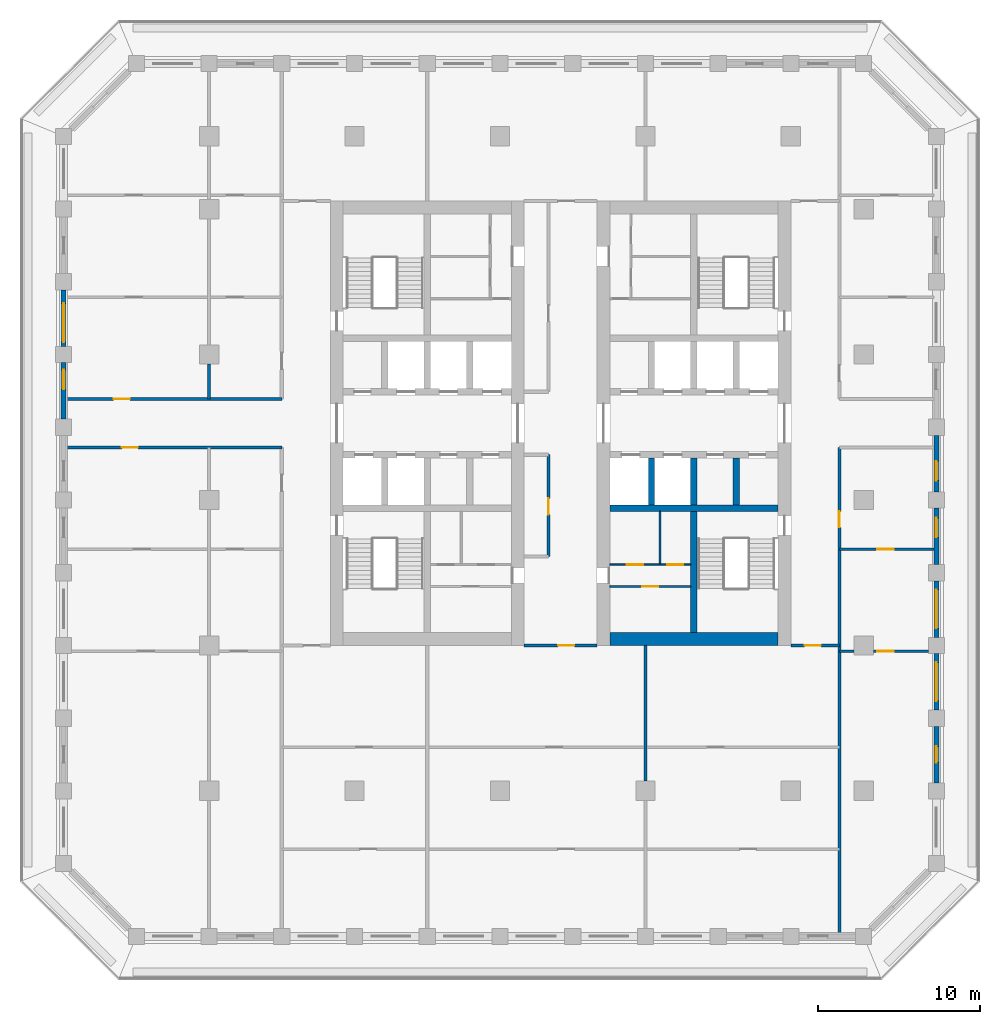
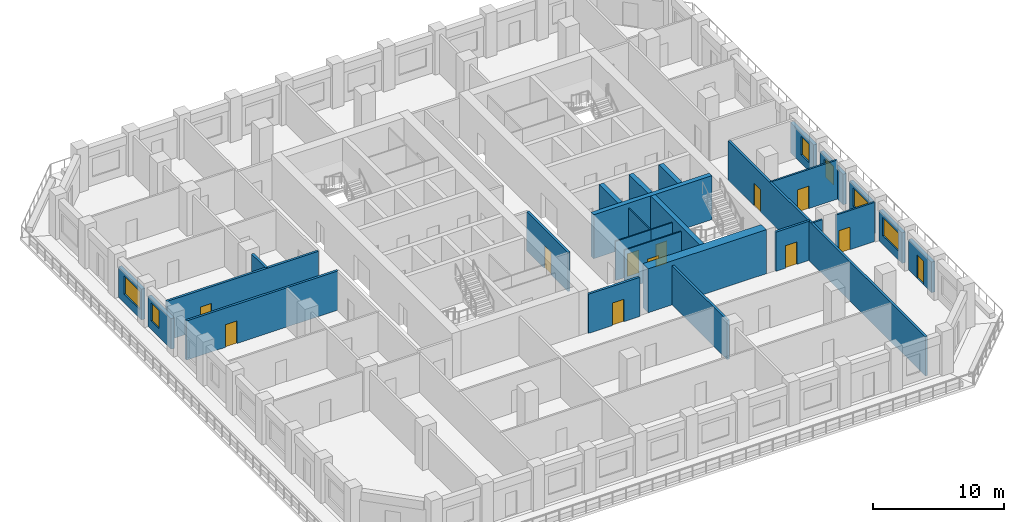
# One storey, part 4 of 16: 28 walls, 12 doors, 6 windows, 18 openings.
"""IFC4 building model written with IfcOpenShell, lengths in metres."""

from ifc_helpers import new_model, si_unit, direction, frame, frame_2d, origin, place, context, subcontext, project, spatial, rectangle, extrude, material, layer, layer_set, type_object, element, fill, save


model = new_model("IFC4")

# Units and contexts
model_context = context("Model", 3, precision=1e-05, world=origin(), true_north=direction((0.0, 1.0)))
body_context = subcontext(model_context, "Body", "Model", "MODEL_VIEW")
ifc_project = project(units=[si_unit("LENGTHUNIT", "METRE"), si_unit("AREAUNIT", "SQUARE_METRE"), si_unit("VOLUMEUNIT", "CUBIC_METRE"), si_unit("PLANEANGLEUNIT", "RADIAN"), si_unit("MASSUNIT", "GRAM", prefix="KILO")], contexts=[model_context])

# Site, building, storey
site_placement = place(None, origin())
site = spatial("IfcSite", under=ifc_project, at=site_placement, CompositionType="ELEMENT")
building_placement = place(site_placement, origin())
building = spatial("IfcBuilding", under=site, at=building_placement, Name="Corbel Stack Research Tower", CompositionType="ELEMENT")
storey_placement = place(building_placement, frame((0.0, 0.0, 177.300048828125)))
storey = spatial("IfcBuildingStorey", under=building, at=storey_placement, Name="L40", CompositionType="ELEMENT", Elevation=177.300048828125)

# Walls
ifc_material_1 = material(Name="Concrete C60/75", Category="concrete")
ifc_layer_1 = layer(ifc_material_1, 0.39990234375)
ifc_layer_set_1 = layer_set([ifc_layer_1], Name="Concrete C60/75")
wall_type_1 = type_object("IfcWallType", Name="CW-400-60", PredefinedType="SHEAR", material=ifc_layer_set_1)
wall_1_placement = place(storey_placement, frame((6.800048828125, -0.5, 0.0), z_axis=(0.0, 0.0, 1.0), x_axis=(1.0, 0.0, 0.0)))
element("IfcWall", 1, at=wall_1_placement, inside=storey, type_object=wall_type_1, Name="East core wall, south row back L40", PredefinedType="SHEAR", context=body_context, shape_type="SweptSolid", body=[
    extrude(rectangle(XDim=10.39990234375, YDim=0.39990234375, at=frame_2d((5.199951171875, 0.0))), origin(), (0.0, 0.0, 1.0), 4.099853515625),
])
for number, where, z_axis, x_axis, name in (
    (2, (9.375, -0.300048828125, 0.0), (0.0, 0.0, 1.0), (0.0, 1.0, 0.0), "East core wall, south shaft 1 L40"),
    (3, (12.0, -0.300048828125, 0.0), (0.0, 0.0, 1.0), (0.0, 1.0, 0.0), "East core wall, south shaft 2 L40"),
    (4, (14.625, -0.300048828125, 0.0), (0.0, 0.0, 1.0), (0.0, 1.0, 0.0), "East core wall, south shaft 3 L40"),
):
    element("IfcWall", number, at=place(storey_placement, frame(where, z_axis=z_axis, x_axis=x_axis)), inside=storey, type_object=wall_type_1, Name=name, PredefinedType="SHEAR", context=body_context, shape_type="SweptSolid", body=[
        extrude(rectangle(XDim=2.900146484375, YDim=0.39990234375, at=frame_2d((1.4501953125, 0.0))), origin(), (0.0, 0.0, 1.0), 4.099853515625),
    ])
wall_2_placement = place(storey_placement, frame((12.0, -8.199951171875, 0.0), z_axis=(0.0, 0.0, 1.0), x_axis=(0.0, 1.0, 0.0)))
element("IfcWall", 5, at=wall_2_placement, inside=storey, type_object=wall_type_1, Name="East core wall, south stair and WC L40", PredefinedType="SHEAR", context=body_context, shape_type="SweptSolid", body=[
    extrude(rectangle(XDim=7.5, YDim=0.39990234375, at=frame_2d((3.75, 0.0))), origin(), (0.0, 0.0, 1.0), 4.099853515625),
])
ifc_material_2 = material(Name="Concrete C60/75", Category="concrete")
ifc_layer_2 = layer(ifc_material_2, 0.800048828125)
ifc_layer_set_2 = layer_set([ifc_layer_2], Name="Concrete C60/75")
wall_type_2 = type_object("IfcWallType", Name="CW-800-60", PredefinedType="SHEAR", material=ifc_layer_set_2)
wall_3_placement = place(storey_placement, frame((6.800048828125, -8.60009765625, 0.0), z_axis=(0.0, 0.0, 1.0), x_axis=(1.0, 0.0, 0.0)))
element("IfcWall", 6, at=wall_3_placement, inside=storey, type_object=wall_type_2, Name="East core wall, south end L40", PredefinedType="SHEAR", context=body_context, shape_type="SweptSolid", body=[
    extrude(rectangle(XDim=10.39990234375, YDim=0.800048828125, at=frame_2d((5.199951171875, 0.0))), origin(), (0.0, 0.0, 1.0), 4.099853515625),
])

# Wall, opening, door
ifc_material_3 = material(Name="Gypsum board")
ifc_layer_3 = layer(ifc_material_3, 0.10009765625)
ifc_layer_set_3 = layer_set([ifc_layer_3], Name="Gypsum board")
wall_type_3 = type_object("IfcWallType", Name="Core partition 100", PredefinedType="PARTITIONING", material=ifc_layer_set_3)
wall_4_placement = place(storey_placement, frame((6.800048828125, -5.35009765625, 0.0), z_axis=(0.0, 0.0, 1.0), x_axis=(1.0, 0.0, 0.0)))
wall_4 = element("IfcWall", 7, at=wall_4_placement, inside=storey, type_object=wall_type_3, Name="Core partition E", PredefinedType="PARTITIONING", context=body_context, shape_type="SweptSolid", body=[
    extrude(rectangle(XDim=5.0, YDim=0.10009765625, at=frame_2d((2.5, 0.0))), origin(), (0.0, 0.0, 1.0), 3.64990234375),
])
opening_1_placement = place(wall_4_placement, frame((2.0, 0.0, 0.0)))
opening_1 = element("IfcOpeningElement", 8, at=opening_1_placement, cuts=wall_4, Name="Opening CR-E24-W2-1000", PredefinedType="OPENING", context=body_context, shape_type="SweptSolid", body=[
    extrude(rectangle(XDim=1.0, YDim=2.10009765625, at=frame_2d((0.5, 1.050048828125))), frame((0.0, 0.06005859375, 0.0), z_axis=(0.0, -1.0, 0.0), x_axis=(1.0, 0.0, 0.0)), (0.0, 0.0, 1.0), 0.1201171875),
])
ifc_material_4 = material(Name="Painted timber door", Category="wood")
door_type_1 = type_object("IfcDoorType", Name="WC door 1000 x 2100 left hand", OperationType="SINGLE_SWING_LEFT", PredefinedType="DOOR", material=ifc_material_4)
door_1_placement = place(opening_1_placement, origin())
door_1 = element("IfcDoor", 9, at=door_1_placement, inside=storey, type_object=door_type_1, Name="Men's WC door E core", OperationType="SINGLE_SWING_LEFT", OverallHeight=2.10009765625, OverallWidth=1.0, PredefinedType="DOOR", context=body_context, shape_type="SweptSolid", body=[
    extrude(rectangle(XDim=1.0, YDim=2.10009765625, at=frame_2d((0.5, 1.050048828125))), frame((0.0, 0.02490234375, 0.0), z_axis=(0.0, -1.0, 0.0), x_axis=(1.0, 0.0, 0.0)), (0.0, 0.0, 1.0), 0.050048828125),
])
fill(opening_1, door_1)

wall_5_placement = place(storey_placement, frame((6.800048828125, -4.0, 0.0), z_axis=(0.0, 0.0, 1.0), x_axis=(1.0, 0.0, 0.0)))
wall_5 = element("IfcWall", 10, at=wall_5_placement, inside=storey, type_object=wall_type_3, Name="Core partition E", PredefinedType="PARTITIONING", context=body_context, shape_type="SweptSolid", body=[
    extrude(rectangle(XDim=3.099853515625, YDim=0.10009765625, at=frame_2d((1.5498046875, 0.0))), origin(), (0.0, 0.0, 1.0), 3.64990234375),
])
opening_2_placement = place(wall_5_placement, frame((1.050048828125, 0.0, 0.0)))
opening_2 = element("IfcOpeningElement", 11, at=opening_2_placement, cuts=wall_5, Name="Opening CR-E24-W3-1000", PredefinedType="OPENING", context=body_context, shape_type="SweptSolid", body=[
    extrude(rectangle(XDim=1.0, YDim=2.10009765625, at=frame_2d((0.5, 1.050048828125))), frame((0.0, 0.06005859375, 0.0), z_axis=(0.0, -1.0, 0.0), x_axis=(1.0, 0.0, 0.0)), (0.0, 0.0, 1.0), 0.1201171875),
])
ifc_material_5 = material(Name="Painted timber door", Category="wood")
door_type_2 = type_object("IfcDoorType", Name="WC door 1000 x 2100 right hand", OperationType="SINGLE_SWING_RIGHT", PredefinedType="DOOR", material=ifc_material_5)
door_2_placement = place(opening_2_placement, origin())
door_2 = element("IfcDoor", 12, at=door_2_placement, inside=storey, type_object=door_type_2, Name="Women's WC door E core", OperationType="SINGLE_SWING_RIGHT", OverallHeight=2.10009765625, OverallWidth=1.0, PredefinedType="DOOR", context=body_context, shape_type="SweptSolid", body=[
    extrude(rectangle(XDim=1.0, YDim=2.10009765625, at=frame_2d((0.5, 1.050048828125))), frame((0.0, 0.02490234375, 0.0), z_axis=(0.0, -1.0, 0.0), x_axis=(1.0, 0.0, 0.0)), (0.0, 0.0, 1.0), 0.050048828125),
])
fill(opening_2, door_2)

wall_6_placement = place(storey_placement, frame((9.89990234375, -4.0, 0.0), z_axis=(0.0, 0.0, 1.0), x_axis=(1.0, 0.0, 0.0)))
wall_6 = element("IfcWall", 13, at=wall_6_placement, inside=storey, type_object=wall_type_3, Name="Core partition E", PredefinedType="PARTITIONING", context=body_context, shape_type="SweptSolid", body=[
    extrude(rectangle(XDim=1.900146484375, YDim=0.10009765625, at=frame_2d((0.9501953125, 0.0))), origin(), (0.0, 0.0, 1.0), 3.64990234375),
])
opening_3_placement = place(wall_6_placement, frame((0.449951171875, 0.0, 0.0)))
opening_3 = element("IfcOpeningElement", 14, at=opening_3_placement, cuts=wall_6, Name="Opening CR-E24-W4-1000", PredefinedType="OPENING", context=body_context, shape_type="SweptSolid", body=[
    extrude(rectangle(XDim=1.0, YDim=2.10009765625, at=frame_2d((0.5, 1.050048828125))), frame((0.0, 0.06005859375, 0.0), z_axis=(0.0, -1.0, 0.0), x_axis=(1.0, 0.0, 0.0)), (0.0, 0.0, 1.0), 0.1201171875),
])
door_3_placement = place(opening_3_placement, origin())
door_3 = element("IfcDoor", 15, at=door_3_placement, inside=storey, type_object=door_type_1, Name="Accessible WC door E core", OperationType="SINGLE_SWING_LEFT", OverallHeight=2.10009765625, OverallWidth=1.0, PredefinedType="DOOR", context=body_context, shape_type="SweptSolid", body=[
    extrude(rectangle(XDim=1.0, YDim=2.10009765625, at=frame_2d((0.5, 1.050048828125))), frame((0.0, 0.02490234375, 0.0), z_axis=(0.0, -1.0, 0.0), x_axis=(1.0, 0.0, 0.0)), (0.0, 0.0, 1.0), 0.050048828125),
])
fill(opening_3, door_3)

# Walls
wall_7_placement = place(storey_placement, frame((9.89990234375, -4.0, 0.0), z_axis=(0.0, 0.0, 1.0), x_axis=(0.0, 1.0, 0.0)))
element("IfcWall", 16, at=wall_7_placement, inside=storey, type_object=wall_type_3, Name="Core partition E", PredefinedType="PARTITIONING", context=body_context, shape_type="SweptSolid", body=[
    extrude(rectangle(XDim=3.300048828125, YDim=0.10009765625, at=frame_2d((1.64990234375, 0.0))), origin(), (0.0, 0.0, 1.0), 3.64990234375),
])
ifc_material_6 = material(Name="Fire-rated gypsum board partition on steel studs", Category="steel")
ifc_layer_4 = layer(ifc_material_6, 0.199951171875)
ifc_layer_set_4 = layer_set([ifc_layer_4], Name="Fire-rated gypsum board partition on steel studs")
wall_type_4 = type_object("IfcWallType", Name="Fire-rated partition 200 EI 60", PredefinedType="PARTITIONING", material=ifc_layer_set_4)
wall_8_placement = place(storey_placement, frame((-18.0, 6.25, 0.0), z_axis=(0.0, 0.0, 1.0), x_axis=(0.0, 1.0, 0.0)))
element("IfcWall", 17, at=wall_8_placement, inside=storey, type_object=wall_type_4, Name="Partition L40-005", PredefinedType="PARTITIONING", context=body_context, shape_type="SweptSolid", body=[
    extrude(rectangle(XDim=2.14990234375, YDim=0.199951171875, at=frame_2d((1.074951171875, 0.0))), origin(), (0.0, 0.0, 1.0), 3.64990234375),
])

# Wall, opening, door
wall_9_placement = place(storey_placement, frame((3.0, -3.5, 0.0), z_axis=(0.0, 0.0, 1.0), x_axis=(0.0, 1.0, 0.0)))
wall_9 = element("IfcWall", 18, at=wall_9_placement, inside=storey, type_object=wall_type_4, Name="Partition L40-013", PredefinedType="PARTITIONING", context=body_context, shape_type="SweptSolid", body=[
    extrude(rectangle(XDim=6.300048828125, YDim=0.199951171875, at=frame_2d((3.14990234375, 0.0))), origin(), (0.0, 0.0, 1.0), 3.64990234375),
])
opening_4_placement = place(wall_9_placement, frame((2.60009765625, 0.0, 0.0)))
opening_4 = element("IfcOpeningElement", 19, at=opening_4_placement, cuts=wall_9, Name="Opening B5V2-018", PredefinedType="OPENING", context=body_context, shape_type="SweptSolid", body=[
    extrude(rectangle(XDim=1.0, YDim=2.10009765625, at=frame_2d((0.5, 1.050048828125))), frame((0.0, 0.10986328125, 0.0), z_axis=(0.0, -1.0, 0.0), x_axis=(1.0, 0.0, 0.0)), (0.0, 0.0, 1.0), 0.219970703125),
])
ifc_material_7 = material(Name="Painted steel fire door", Category="steel")
door_type_3 = type_object("IfcDoorType", Name="Fire door FD30S 1000 x 2100", OperationType="NOTDEFINED", PredefinedType="DOOR", material=ifc_material_7)
door_4_placement = place(opening_4_placement, origin())
door_4 = element("IfcDoor", 20, at=door_4_placement, inside=storey, type_object=door_type_3, Name="Door B5V2-018", OperationType="SINGLE_SWING_LEFT", OverallHeight=2.10009765625, OverallWidth=1.0, PredefinedType="DOOR", context=body_context, shape_type="SweptSolid", body=[
    extrude(rectangle(XDim=1.0, YDim=2.10009765625, at=frame_2d((0.5, 1.050048828125))), frame((0.0, 0.02490234375, 0.0), z_axis=(0.0, -1.0, 0.0), x_axis=(1.0, 0.0, 0.0)), (0.0, 0.0, 1.0), 0.050048828125),
])
fill(opening_4, door_4)

# Wall
wall_10_placement = place(storey_placement, frame((9.0, -17.39990234375, 0.0), z_axis=(0.0, 0.0, 1.0), x_axis=(0.0, 1.0, 0.0)))
element("IfcWall", 21, at=wall_10_placement, inside=storey, type_object=wall_type_4, Name="Partition L40-016", PredefinedType="PARTITIONING", context=body_context, shape_type="SweptSolid", body=[
    extrude(rectangle(XDim=8.39990234375, YDim=0.199951171875, at=frame_2d((4.199951171875, 0.0))), origin(), (0.0, 0.0, 1.0), 3.64990234375),
])

# Wall, opening, door
wall_11_placement = place(storey_placement, frame((21.0, 3.25, 0.0), z_axis=(0.0, 0.0, 1.0), x_axis=(0.0, -1.0, 0.0)))
wall_11 = element("IfcWall", 22, at=wall_11_placement, inside=storey, type_object=wall_type_4, Name="Partition L40-019", PredefinedType="PARTITIONING", context=body_context, shape_type="SweptSolid", body=[
    extrude(rectangle(XDim=30.10009765625, YDim=0.199951171875, at=frame_2d((15.050048828125, 0.0))), origin(), (0.0, 0.0, 1.0), 3.64990234375),
])
opening_5_placement = place(wall_11_placement, frame((3.949951171875, 0.0, 0.0)))
opening_5 = element("IfcOpeningElement", 23, at=opening_5_placement, cuts=wall_11, Name="Opening B5V2-031", PredefinedType="OPENING", context=body_context, shape_type="SweptSolid", body=[
    extrude(rectangle(XDim=1.0, YDim=2.10009765625, at=frame_2d((0.5, 1.050048828125))), frame((0.0, 0.10986328125, 0.0), z_axis=(0.0, -1.0, 0.0), x_axis=(1.0, 0.0, 0.0)), (0.0, 0.0, 1.0), 0.219970703125),
])
door_5_placement = place(opening_5_placement, origin())
door_5 = element("IfcDoor", 24, at=door_5_placement, inside=storey, type_object=door_type_3, Name="Door B5V2-031", OperationType="SINGLE_SWING_LEFT", OverallHeight=2.10009765625, OverallWidth=1.0, PredefinedType="DOOR", context=body_context, shape_type="SweptSolid", body=[
    extrude(rectangle(XDim=1.0, YDim=2.10009765625, at=frame_2d((0.5, 1.050048828125))), frame((0.0, 0.02490234375, 0.0), z_axis=(0.0, -1.0, 0.0), x_axis=(1.0, 0.0, 0.0)), (0.0, 0.0, 1.0), 0.050048828125),
])
fill(opening_5, door_5)

wall_12_placement = place(storey_placement, frame((6.0, -9.0, 0.0), z_axis=(0.0, 0.0, 1.0), x_axis=(-1.0, 0.0, 0.0)))
wall_12 = element("IfcWall", 25, at=wall_12_placement, inside=storey, type_object=wall_type_4, Name="Partition L40-028", PredefinedType="PARTITIONING", context=body_context, shape_type="SweptSolid", body=[
    extrude(rectangle(XDim=4.5, YDim=0.199951171875, at=frame_2d((2.25, 0.0))), origin(), (0.0, 0.0, 1.0), 3.64990234375),
])
opening_6_placement = place(wall_12_placement, frame((1.39990234375, 0.0, 0.0)))
opening_6 = element("IfcOpeningElement", 26, at=opening_6_placement, cuts=wall_12, Name="Opening B5V2-013", PredefinedType="OPENING", context=body_context, shape_type="SweptSolid", body=[
    extrude(rectangle(XDim=1.0, YDim=2.10009765625, at=frame_2d((0.5, 1.050048828125))), frame((0.0, 0.10986328125, 0.0), z_axis=(0.0, -1.0, 0.0), x_axis=(1.0, 0.0, 0.0)), (0.0, 0.0, 1.0), 0.219970703125),
])
door_6_placement = place(opening_6_placement, origin())
door_6 = element("IfcDoor", 27, at=door_6_placement, inside=storey, type_object=door_type_3, Name="Door B5V2-013", OperationType="SINGLE_SWING_LEFT", OverallHeight=2.10009765625, OverallWidth=1.0, PredefinedType="DOOR", context=body_context, shape_type="SweptSolid", body=[
    extrude(rectangle(XDim=1.0, YDim=2.10009765625, at=frame_2d((0.5, 1.050048828125))), frame((0.0, 0.02490234375, 0.0), z_axis=(0.0, -1.0, 0.0), x_axis=(1.0, 0.0, 0.0)), (0.0, 0.0, 1.0), 0.050048828125),
])
fill(opening_6, door_6)

wall_13_placement = place(storey_placement, frame((21.0, -9.0, 0.0), z_axis=(0.0, 0.0, 1.0), x_axis=(-1.0, 0.0, 0.0)))
wall_13 = element("IfcWall", 28, at=wall_13_placement, inside=storey, type_object=wall_type_4, Name="Partition L40-029", PredefinedType="PARTITIONING", context=body_context, shape_type="SweptSolid", body=[
    extrude(rectangle(XDim=3.0, YDim=0.199951171875, at=frame_2d((1.5, 0.0))), origin(), (0.0, 0.0, 1.0), 3.64990234375),
])
opening_7_placement = place(wall_13_placement, frame((1.14990234375, 0.0, 0.0)))
opening_7 = element("IfcOpeningElement", 29, at=opening_7_placement, cuts=wall_13, Name="Opening B5V2-014", PredefinedType="OPENING", context=body_context, shape_type="SweptSolid", body=[
    extrude(rectangle(XDim=1.0, YDim=2.10009765625, at=frame_2d((0.5, 1.050048828125))), frame((0.0, 0.10986328125, 0.0), z_axis=(0.0, -1.0, 0.0), x_axis=(1.0, 0.0, 0.0)), (0.0, 0.0, 1.0), 0.219970703125),
])
door_7_placement = place(opening_7_placement, origin())
door_7 = element("IfcDoor", 30, at=door_7_placement, inside=storey, type_object=door_type_3, Name="Door B5V2-014", OperationType="SINGLE_SWING_RIGHT", OverallHeight=2.10009765625, OverallWidth=1.0, PredefinedType="DOOR", context=body_context, shape_type="SweptSolid", body=[
    extrude(rectangle(XDim=1.0, YDim=2.10009765625, at=frame_2d((0.5, 1.050048828125))), frame((0.0, 0.02490234375, 0.0), z_axis=(0.0, -1.0, 0.0), x_axis=(1.0, 0.0, 0.0)), (0.0, 0.0, 1.0), 0.050048828125),
])
fill(opening_7, door_7)

wall_14_placement = place(storey_placement, frame((-13.5, 3.25, 0.0), z_axis=(0.0, 0.0, 1.0), x_axis=(-1.0, 0.0, 0.0)))
wall_14 = element("IfcWall", 31, at=wall_14_placement, inside=storey, type_object=wall_type_4, Name="Partition L40-034", PredefinedType="PARTITIONING", context=body_context, shape_type="SweptSolid", body=[
    extrude(rectangle(XDim=13.35009765625, YDim=0.199951171875, at=frame_2d((6.675048828125, 0.0))), origin(), (0.0, 0.0, 1.0), 3.64990234375),
])
opening_8_placement = place(wall_14_placement, frame((8.89990234375, 0.0, 0.0)))
opening_8 = element("IfcOpeningElement", 32, at=opening_8_placement, cuts=wall_14, Name="Opening B5V2-020", PredefinedType="OPENING", context=body_context, shape_type="SweptSolid", body=[
    extrude(rectangle(XDim=1.0, YDim=2.10009765625, at=frame_2d((0.5, 1.050048828125))), frame((0.0, 0.10986328125, 0.0), z_axis=(0.0, -1.0, 0.0), x_axis=(1.0, 0.0, 0.0)), (0.0, 0.0, 1.0), 0.219970703125),
])
door_8_placement = place(opening_8_placement, origin())
door_8 = element("IfcDoor", 33, at=door_8_placement, inside=storey, type_object=door_type_3, Name="Door B5V2-020", OperationType="SINGLE_SWING_RIGHT", OverallHeight=2.10009765625, OverallWidth=1.0, PredefinedType="DOOR", context=body_context, shape_type="SweptSolid", body=[
    extrude(rectangle(XDim=1.0, YDim=2.10009765625, at=frame_2d((0.5, 1.050048828125))), frame((0.0, 0.02490234375, 0.0), z_axis=(0.0, -1.0, 0.0), x_axis=(1.0, 0.0, 0.0)), (0.0, 0.0, 1.0), 0.050048828125),
])
fill(opening_8, door_8)

wall_15_placement = place(storey_placement, frame((-26.85009765625, 6.25, 0.0), z_axis=(0.0, 0.0, 1.0), x_axis=(1.0, 0.0, 0.0)))
wall_15 = element("IfcWall", 34, at=wall_15_placement, inside=storey, type_object=wall_type_4, Name="Partition L40-036", PredefinedType="PARTITIONING", context=body_context, shape_type="SweptSolid", body=[
    extrude(rectangle(XDim=13.35009765625, YDim=0.199951171875, at=frame_2d((6.675048828125, 0.0))), origin(), (0.0, 0.0, 1.0), 3.64990234375),
])
opening_9_placement = place(wall_15_placement, frame((2.949951171875, 0.0, 0.0)))
opening_9 = element("IfcOpeningElement", 35, at=opening_9_placement, cuts=wall_15, Name="Opening B5V2-021", PredefinedType="OPENING", context=body_context, shape_type="SweptSolid", body=[
    extrude(rectangle(XDim=1.0, YDim=2.10009765625, at=frame_2d((0.5, 1.050048828125))), frame((0.0, 0.10986328125, 0.0), z_axis=(0.0, -1.0, 0.0), x_axis=(1.0, 0.0, 0.0)), (0.0, 0.0, 1.0), 0.219970703125),
])
door_9_placement = place(opening_9_placement, origin())
door_9 = element("IfcDoor", 36, at=door_9_placement, inside=storey, type_object=door_type_3, Name="Door B5V2-021", OperationType="SINGLE_SWING_LEFT", OverallHeight=2.10009765625, OverallWidth=1.0, PredefinedType="DOOR", context=body_context, shape_type="SweptSolid", body=[
    extrude(rectangle(XDim=1.0, YDim=2.10009765625, at=frame_2d((0.5, 1.050048828125))), frame((0.0, 0.02490234375, 0.0), z_axis=(0.0, -1.0, 0.0), x_axis=(1.0, 0.0, 0.0)), (0.0, 0.0, 1.0), 0.050048828125),
])
fill(opening_9, door_9)

# Wall
ifc_material_8 = material(Name="Gypsum board partition on steel studs", Category="steel")
ifc_layer_5 = layer(ifc_material_8, 0.14990234375)
ifc_layer_set_5 = layer_set([ifc_layer_5], Name="Gypsum board partition on steel studs")
wall_type_5 = type_object("IfcWallType", Name="Partition 150", PredefinedType="PARTITIONING", material=ifc_layer_set_5)
wall_16_placement = place(storey_placement, frame((21.0, -9.35009765625, 0.0), z_axis=(0.0, 0.0, 1.0), x_axis=(1.0, 0.0, 0.0)))
element("IfcWall", 37, at=wall_16_placement, inside=storey, type_object=wall_type_5, Name="Partition L40-025", PredefinedType="PARTITIONING", context=body_context, shape_type="SweptSolid", body=[
    extrude(rectangle(XDim=0.89990234375, YDim=0.14990234375, at=frame_2d((0.449951171875, 0.0))), origin(), (0.0, 0.0, 1.0), 3.64990234375),
])

# Wall, opening, door
wall_17_placement = place(storey_placement, frame((26.5, -9.35009765625, 0.0), z_axis=(0.0, 0.0, 1.0), x_axis=(-1.0, 0.0, 0.0)))
wall_17 = element("IfcWall", 38, at=wall_17_placement, inside=storey, type_object=wall_type_5, Name="Partition L40-026", PredefinedType="PARTITIONING", context=body_context, shape_type="SweptSolid", body=[
    extrude(rectangle(XDim=3.39990234375, YDim=0.14990234375, at=frame_2d((1.699951171875, 0.0))), origin(), (0.0, 0.0, 1.0), 3.64990234375),
])
opening_10_placement = place(wall_17_placement, frame((2.14990234375, 0.0, 0.0)))
opening_10 = element("IfcOpeningElement", 39, at=opening_10_placement, cuts=wall_17, Name="Opening B5V2-011", PredefinedType="OPENING", context=body_context, shape_type="SweptSolid", body=[
    extrude(rectangle(XDim=1.0, YDim=2.10009765625, at=frame_2d((0.5, 1.050048828125))), frame((0.0, 0.0849609375, 0.0), z_axis=(0.0, -1.0, 0.0), x_axis=(1.0, 0.0, 0.0)), (0.0, 0.0, 1.0), 0.169921875),
])
ifc_material_9 = material(Name="Painted timber door", Category="wood")
door_type_4 = type_object("IfcDoorType", Name="Single door 1000 x 2100", OperationType="NOTDEFINED", PredefinedType="DOOR", material=ifc_material_9)
door_10_placement = place(opening_10_placement, origin())
door_10 = element("IfcDoor", 40, at=door_10_placement, inside=storey, type_object=door_type_4, Name="Door B5V2-011", OperationType="SINGLE_SWING_RIGHT", OverallHeight=2.10009765625, OverallWidth=1.0, PredefinedType="DOOR", context=body_context, shape_type="SweptSolid", body=[
    extrude(rectangle(XDim=1.0, YDim=2.10009765625, at=frame_2d((0.5, 1.050048828125))), frame((0.0, 0.02490234375, 0.0), z_axis=(0.0, -1.0, 0.0), x_axis=(1.0, 0.0, 0.0)), (0.0, 0.0, 1.0), 0.050048828125),
])
fill(opening_10, door_10)

wall_18_placement = place(storey_placement, frame((26.85009765625, -3.050048828125, 0.0), z_axis=(0.0, 0.0, 1.0), x_axis=(-1.0, 0.0, 0.0)))
wall_18 = element("IfcWall", 41, at=wall_18_placement, inside=storey, type_object=wall_type_5, Name="Partition L40-032", PredefinedType="PARTITIONING", context=body_context, shape_type="SweptSolid", body=[
    extrude(rectangle(XDim=5.85009765625, YDim=0.14990234375, at=frame_2d((2.925048828125, 0.0))), origin(), (0.0, 0.0, 1.0), 3.64990234375),
])
opening_11_placement = place(wall_18_placement, frame((2.5, 0.0, 0.0)))
opening_11 = element("IfcOpeningElement", 42, at=opening_11_placement, cuts=wall_18, Name="Opening B5V2-017", PredefinedType="OPENING", context=body_context, shape_type="SweptSolid", body=[
    extrude(rectangle(XDim=1.0, YDim=2.10009765625, at=frame_2d((0.5, 1.050048828125))), frame((0.0, 0.0849609375, 0.0), z_axis=(0.0, -1.0, 0.0), x_axis=(1.0, 0.0, 0.0)), (0.0, 0.0, 1.0), 0.169921875),
])
door_11_placement = place(opening_11_placement, origin())
door_11 = element("IfcDoor", 43, at=door_11_placement, inside=storey, type_object=door_type_4, Name="Door B5V2-017", OperationType="SINGLE_SWING_RIGHT", OverallHeight=2.10009765625, OverallWidth=1.0, PredefinedType="DOOR", context=body_context, shape_type="SweptSolid", body=[
    extrude(rectangle(XDim=1.0, YDim=2.10009765625, at=frame_2d((0.5, 1.050048828125))), frame((0.0, 0.02490234375, 0.0), z_axis=(0.0, -1.0, 0.0), x_axis=(1.0, 0.0, 0.0)), (0.0, 0.0, 1.0), 0.050048828125),
])
fill(opening_11, door_11)

ifc_material_10 = material(Name="Concrete C45/55", Category="concrete")
ifc_layer_6 = layer(ifc_material_10, 0.300048828125)
ifc_layer_set_6 = layer_set([ifc_layer_6], Name="Concrete C45/55")
wall_type_6 = type_object("IfcWallType", Name="Terracotta-faced concrete wall 300", PredefinedType="SOLIDWALL", material=ifc_layer_set_6)
wall_19_placement = place(storey_placement, frame((27.0, -14.0, 0.0), z_axis=(0.0, 0.0, 1.0), x_axis=(0.0, -1.0, 0.0)))
wall_19 = element("IfcWall", 44, at=wall_19_placement, inside=storey, type_object=wall_type_6, Name="Facade wall L40 E02", PredefinedType="SOLIDWALL", context=body_context, shape_type="SweptSolid", body=[
    extrude(rectangle(XDim=3.5, YDim=0.300048828125, at=frame_2d((1.75, 0.0))), origin(), (0.0, 0.0, 1.0), 2.849853515625),
])
opening_12_placement = place(wall_19_placement, frame((1.25, 0.0, 0.0)))
opening_12 = element("IfcOpeningElement", 45, at=opening_12_placement, cuts=wall_19, Name="Opening L40-B04", PredefinedType="OPENING", context=body_context, shape_type="SweptSolid", body=[
    extrude(rectangle(XDim=1.0, YDim=2.199951171875, at=frame_2d((0.5, 1.10009765625))), frame((0.0, 0.159912109375, 0.0), z_axis=(0.0, -1.0, 0.0), x_axis=(1.0, 0.0, 0.0)), (0.0, 0.0, 1.0), 0.320068359375),
])
ifc_material_11 = material(Name="Aluminium frame, clear double glazing", Category="aluminium")
door_type_5 = type_object("IfcDoorType", Name="Balcony door BD1 1000 x 2200", OperationType="NOTDEFINED", PredefinedType="DOOR", material=ifc_material_11)
door_12_placement = place(opening_12_placement, origin())
door_12 = element("IfcDoor", 46, at=door_12_placement, inside=storey, type_object=door_type_5, Name="Balcony door L40-B04", OperationType="SINGLE_SWING_RIGHT", OverallHeight=2.199951171875, OverallWidth=1.0, PredefinedType="DOOR", context=body_context, shape_type="SweptSolid", body=[
    extrude(rectangle(XDim=1.0, YDim=2.199951171875, at=frame_2d((0.5, 1.10009765625))), frame((0.0, 0.02490234375, 0.0), z_axis=(0.0, -1.0, 0.0), x_axis=(1.0, 0.0, 0.0)), (0.0, 0.0, 1.0), 0.050048828125),
])
fill(opening_12, door_12)

# Wall, opening, window
wall_20_placement = place(storey_placement, frame((27.0, -9.5, 0.0), z_axis=(0.0, 0.0, 1.0), x_axis=(0.0, -1.0, 0.0)))
wall_20 = element("IfcWall", 47, at=wall_20_placement, inside=storey, type_object=wall_type_6, Name="Facade wall L40 E03", PredefinedType="SOLIDWALL", context=body_context, shape_type="SweptSolid", body=[
    extrude(rectangle(XDim=3.5, YDim=0.300048828125, at=frame_2d((1.75, 0.0))), origin(), (0.0, 0.0, 1.0), 2.849853515625),
])
opening_13_placement = place(wall_20_placement, frame((0.550048828125, 0.0, 0.800048828125)))
opening_13 = element("IfcOpeningElement", 48, at=opening_13_placement, cuts=wall_20, Name="Opening W1", PredefinedType="OPENING", context=body_context, shape_type="SweptSolid", body=[
    extrude(rectangle(XDim=2.39990234375, YDim=1.699951171875, at=frame_2d((1.199951171875, 0.85009765625))), frame((0.0, 0.159912109375, 0.0), z_axis=(0.0, -1.0, 0.0), x_axis=(1.0, 0.0, 0.0)), (0.0, 0.0, 1.0), 0.320068359375),
])
ifc_material_12 = material(Name="Aluminium frame, clear double glazing", Category="aluminium")
window_type_1 = type_object("IfcWindowType", Name="Window W1 2400 x 1700", PartitioningType="SINGLE_PANEL", PredefinedType="WINDOW", material=ifc_material_12)
window_1_placement = place(opening_13_placement, origin())
window_1 = element("IfcWindow", 49, at=window_1_placement, inside=storey, type_object=window_type_1, Name="Window W1 L40 E03", OverallHeight=1.699951171875, OverallWidth=2.39990234375, PartitioningType="SINGLE_PANEL", PredefinedType="WINDOW", context=body_context, shape_type="SweptSolid", body=[
    extrude(rectangle(XDim=2.39990234375, YDim=1.699951171875, at=frame_2d((1.199951171875, 0.85009765625))), frame((0.0, 0.030029296875, 0.0), z_axis=(0.0, -1.0, 0.0), x_axis=(1.0, 0.0, 0.0)), (0.0, 0.0, 1.0), 0.06005859375),
])
fill(opening_13, window_1)

wall_21_placement = place(storey_placement, frame((27.0, -5.0, 0.0), z_axis=(0.0, 0.0, 1.0), x_axis=(0.0, -1.0, 0.0)))
wall_21 = element("IfcWall", 50, at=wall_21_placement, inside=storey, type_object=wall_type_6, Name="Facade wall L40 E04", PredefinedType="SOLIDWALL", context=body_context, shape_type="SweptSolid", body=[
    extrude(rectangle(XDim=3.5, YDim=0.300048828125, at=frame_2d((1.75, 0.0))), origin(), (0.0, 0.0, 1.0), 2.849853515625),
])
opening_14_placement = place(wall_21_placement, frame((0.550048828125, 0.0, 0.800048828125)))
opening_14 = element("IfcOpeningElement", 51, at=opening_14_placement, cuts=wall_21, Name="Opening W1", PredefinedType="OPENING", context=body_context, shape_type="SweptSolid", body=[
    extrude(rectangle(XDim=2.39990234375, YDim=1.699951171875, at=frame_2d((1.199951171875, 0.85009765625))), frame((0.0, 0.159912109375, 0.0), z_axis=(0.0, -1.0, 0.0), x_axis=(1.0, 0.0, 0.0)), (0.0, 0.0, 1.0), 0.320068359375),
])
window_2_placement = place(opening_14_placement, origin())
window_2 = element("IfcWindow", 52, at=window_2_placement, inside=storey, type_object=window_type_1, Name="Window W1 L40 E04", OverallHeight=1.699951171875, OverallWidth=2.39990234375, PartitioningType="SINGLE_PANEL", PredefinedType="WINDOW", context=body_context, shape_type="SweptSolid", body=[
    extrude(rectangle(XDim=2.39990234375, YDim=1.699951171875, at=frame_2d((1.199951171875, 0.85009765625))), frame((0.0, 0.030029296875, 0.0), z_axis=(0.0, -1.0, 0.0), x_axis=(1.0, 0.0, 0.0)), (0.0, 0.0, 1.0), 0.06005859375),
])
fill(opening_14, window_2)

wall_22_placement = place(storey_placement, frame((27.0, -0.5, 0.0), z_axis=(0.0, 0.0, 1.0), x_axis=(0.0, -1.0, 0.0)))
wall_22 = element("IfcWall", 53, at=wall_22_placement, inside=storey, type_object=wall_type_6, Name="Facade wall L40 E05", PredefinedType="SOLIDWALL", context=body_context, shape_type="SweptSolid", body=[
    extrude(rectangle(XDim=3.5, YDim=0.300048828125, at=frame_2d((1.75, 0.0))), origin(), (0.0, 0.0, 1.0), 2.849853515625),
])
opening_15_placement = place(wall_22_placement, frame((0.612548828125, 0.0, 0.800048828125)))
opening_15 = element("IfcOpeningElement", 54, at=opening_15_placement, cuts=wall_22, Name="Opening W2", PredefinedType="OPENING", context=body_context, shape_type="SweptSolid", body=[
    extrude(rectangle(XDim=1.199951171875, YDim=1.699951171875, at=frame_2d((0.60009765625, 0.85009765625))), frame((0.0, 0.159912109375, 0.0), z_axis=(0.0, -1.0, 0.0), x_axis=(1.0, 0.0, 0.0)), (0.0, 0.0, 1.0), 0.320068359375),
])
ifc_material_13 = material(Name="Aluminium frame, clear double glazing", Category="aluminium")
window_type_2 = type_object("IfcWindowType", Name="Window W2 1200 x 1700", PartitioningType="SINGLE_PANEL", PredefinedType="WINDOW", material=ifc_material_13)
window_3_placement = place(opening_15_placement, origin())
window_3 = element("IfcWindow", 55, at=window_3_placement, inside=storey, type_object=window_type_2, Name="Window W2 L40 E05", OverallHeight=1.699951171875, OverallWidth=1.199951171875, PartitioningType="SINGLE_PANEL", PredefinedType="WINDOW", context=body_context, shape_type="SweptSolid", body=[
    extrude(rectangle(XDim=1.199951171875, YDim=1.699951171875, at=frame_2d((0.60009765625, 0.85009765625))), frame((0.0, 0.030029296875, 0.0), z_axis=(0.0, -1.0, 0.0), x_axis=(1.0, 0.0, 0.0)), (0.0, 0.0, 1.0), 0.06005859375),
])
fill(opening_15, window_3)

wall_23_placement = place(storey_placement, frame((27.0, 4.0, 0.0), z_axis=(0.0, 0.0, 1.0), x_axis=(0.0, -1.0, 0.0)))
wall_23 = element("IfcWall", 56, at=wall_23_placement, inside=storey, type_object=wall_type_6, Name="Facade wall L40 E06", PredefinedType="SOLIDWALL", context=body_context, shape_type="SweptSolid", body=[
    extrude(rectangle(XDim=3.5, YDim=0.300048828125, at=frame_2d((1.75, 0.0))), origin(), (0.0, 0.0, 1.0), 2.849853515625),
])
opening_16_placement = place(wall_23_placement, frame((1.60009765625, 0.0, 0.800048828125)))
opening_16 = element("IfcOpeningElement", 57, at=opening_16_placement, cuts=wall_23, Name="Opening W2", PredefinedType="OPENING", context=body_context, shape_type="SweptSolid", body=[
    extrude(rectangle(XDim=1.199951171875, YDim=1.699951171875, at=frame_2d((0.60009765625, 0.85009765625))), frame((0.0, 0.159912109375, 0.0), z_axis=(0.0, -1.0, 0.0), x_axis=(1.0, 0.0, 0.0)), (0.0, 0.0, 1.0), 0.320068359375),
])
window_4_placement = place(opening_16_placement, origin())
window_4 = element("IfcWindow", 58, at=window_4_placement, inside=storey, type_object=window_type_2, Name="Window W2 L40 E06", OverallHeight=1.699951171875, OverallWidth=1.199951171875, PartitioningType="SINGLE_PANEL", PredefinedType="WINDOW", context=body_context, shape_type="SweptSolid", body=[
    extrude(rectangle(XDim=1.199951171875, YDim=1.699951171875, at=frame_2d((0.60009765625, 0.85009765625))), frame((0.0, 0.030029296875, 0.0), z_axis=(0.0, -1.0, 0.0), x_axis=(1.0, 0.0, 0.0)), (0.0, 0.0, 1.0), 0.06005859375),
])
fill(opening_16, window_4)

wall_24_placement = place(storey_placement, frame((-27.0, 9.5, 0.0), z_axis=(0.0, 0.0, 1.0), x_axis=(0.0, 1.0, 0.0)))
wall_24 = element("IfcWall", 59, at=wall_24_placement, inside=storey, type_object=wall_type_6, Name="Facade wall L40 W03", PredefinedType="SOLIDWALL", context=body_context, shape_type="SweptSolid", body=[
    extrude(rectangle(XDim=3.5, YDim=0.300048828125, at=frame_2d((1.75, 0.0))), origin(), (0.0, 0.0, 1.0), 2.849853515625),
])
opening_17_placement = place(wall_24_placement, frame((0.262451171875, 0.0, 0.800048828125)))
opening_17 = element("IfcOpeningElement", 60, at=opening_17_placement, cuts=wall_24, Name="Opening W1", PredefinedType="OPENING", context=body_context, shape_type="SweptSolid", body=[
    extrude(rectangle(XDim=2.39990234375, YDim=1.699951171875, at=frame_2d((1.199951171875, 0.85009765625))), frame((0.0, 0.159912109375, 0.0), z_axis=(0.0, -1.0, 0.0), x_axis=(1.0, 0.0, 0.0)), (0.0, 0.0, 1.0), 0.320068359375),
])
window_5_placement = place(opening_17_placement, origin())
window_5 = element("IfcWindow", 61, at=window_5_placement, inside=storey, type_object=window_type_1, Name="Window W1 L40 W03", OverallHeight=1.699951171875, OverallWidth=2.39990234375, PartitioningType="SINGLE_PANEL", PredefinedType="WINDOW", context=body_context, shape_type="SweptSolid", body=[
    extrude(rectangle(XDim=2.39990234375, YDim=1.699951171875, at=frame_2d((1.199951171875, 0.85009765625))), frame((0.0, 0.030029296875, 0.0), z_axis=(0.0, -1.0, 0.0), x_axis=(1.0, 0.0, 0.0)), (0.0, 0.0, 1.0), 0.06005859375),
])
fill(opening_17, window_5)

wall_25_placement = place(storey_placement, frame((-27.0, 5.0, 0.0), z_axis=(0.0, 0.0, 1.0), x_axis=(0.0, 1.0, 0.0)))
wall_25 = element("IfcWall", 62, at=wall_25_placement, inside=storey, type_object=wall_type_6, Name="Facade wall L40 W04", PredefinedType="SOLIDWALL", context=body_context, shape_type="SweptSolid", body=[
    extrude(rectangle(XDim=3.5, YDim=0.300048828125, at=frame_2d((1.75, 0.0))), origin(), (0.0, 0.0, 1.0), 2.849853515625),
])
opening_18_placement = place(wall_25_placement, frame((1.85009765625, 0.0, 0.800048828125)))
opening_18 = element("IfcOpeningElement", 63, at=opening_18_placement, cuts=wall_25, Name="Opening W2", PredefinedType="OPENING", context=body_context, shape_type="SweptSolid", body=[
    extrude(rectangle(XDim=1.199951171875, YDim=1.699951171875, at=frame_2d((0.60009765625, 0.85009765625))), frame((0.0, 0.159912109375, 0.0), z_axis=(0.0, -1.0, 0.0), x_axis=(1.0, 0.0, 0.0)), (0.0, 0.0, 1.0), 0.320068359375),
])
window_6_placement = place(opening_18_placement, origin())
window_6 = element("IfcWindow", 64, at=window_6_placement, inside=storey, type_object=window_type_2, Name="Window W2 L40 W04", OverallHeight=1.699951171875, OverallWidth=1.199951171875, PartitioningType="SINGLE_PANEL", PredefinedType="WINDOW", context=body_context, shape_type="SweptSolid", body=[
    extrude(rectangle(XDim=1.199951171875, YDim=1.699951171875, at=frame_2d((0.60009765625, 0.85009765625))), frame((0.0, 0.030029296875, 0.0), z_axis=(0.0, -1.0, 0.0), x_axis=(1.0, 0.0, 0.0)), (0.0, 0.0, 1.0), 0.06005859375),
])
fill(opening_18, window_6)

save(model, "model.ifc")
